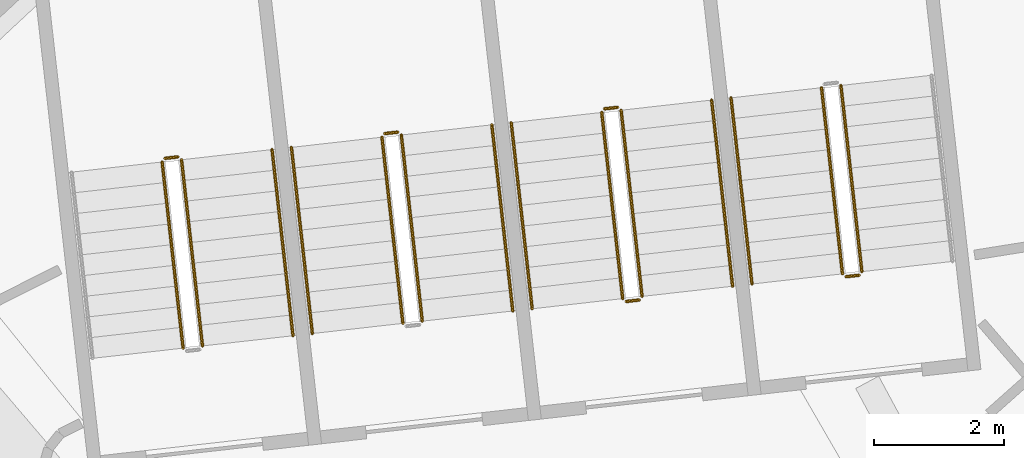
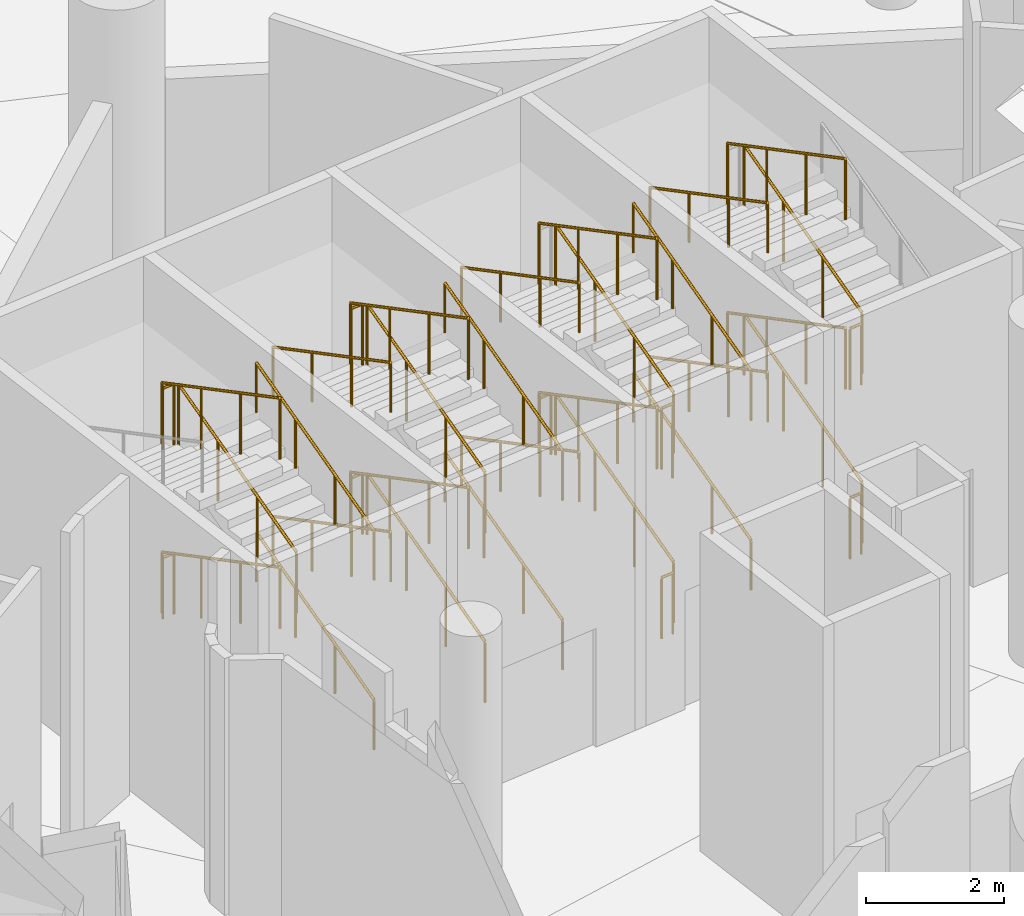
# One storey, part 236 of 249: 36 railings.
"""IFC4 building model written with IfcOpenShell, lengths in metres."""

from ifc_helpers import new_model, si_unit, direction, frame, origin, origin_2d, place, context, subcontext, project, spatial, circle, extrude, material, type_object, element, save


model = new_model("IFC4")

# Units and contexts
model_context = context("Model", 3, precision=1e-05, world=origin(), true_north=direction((0.0, 1.0)))
body_context = subcontext(model_context, "Body", "Model", "MODEL_VIEW")
ifc_project = project(units=[si_unit("LENGTHUNIT", "METRE"), si_unit("AREAUNIT", "SQUARE_METRE"), si_unit("VOLUMEUNIT", "CUBIC_METRE"), si_unit("PLANEANGLEUNIT", "RADIAN"), si_unit("MASSUNIT", "GRAM", prefix="KILO")], contexts=[model_context])

# Site, building, storey
site_placement = place(None, origin())
site = spatial("IfcSite", under=ifc_project, at=site_placement, CompositionType="ELEMENT")
building_placement = place(site_placement, origin())
building = spatial("IfcBuilding", under=site, at=building_placement, Name="Meseta Stadium", CompositionType="ELEMENT")
storey_placement = place(building_placement, frame((0.0, 0.0, 12.0)))
storey = spatial("IfcBuildingStorey", under=building, at=storey_placement, Name="L02", CompositionType="ELEMENT", Elevation=12.0)

# Railings
ifc_material_1 = material(Name="Steel S355", Category="steel")
railing_type_1 = type_object("IfcRailingType", Name="Stair guard 1100", PredefinedType="GUARDRAIL", material=ifc_material_1)
railing_1_placement = place(storey_placement, frame((-45.742919921875, 94.609375, 0.14990234375)))
element("IfcRailing", 1, at=railing_1_placement, inside=storey, type_object=railing_type_1, Name="ST45 L02 guard 1", PredefinedType="GUARDRAIL", context=body_context, shape_type="SweptSolid", body=[
    extrude(circle(Radius=0.02392578125, at=origin_2d()), frame((0.0, 0.0, 1.076171875), z_axis=(-0.10139626197, 0.899747905232, 0.424467319223), x_axis=(-0.993709872468, -0.111985219376, 0.0)), (0.0, 0.0, 1.0), 3.1806640625),
    extrude(circle(Radius=0.02099609375, at=origin_2d()), origin(), (0.0, 0.0, 1.0), 1.052001953125),
    extrude(circle(Radius=0.02099609375, at=origin_2d()), frame((-0.107421875, 0.953857421875, 0.449951171875)), (0.0, 0.0, 1.0), 1.052001953125),
    extrude(circle(Radius=0.02099609375, at=origin_2d()), frame((-0.215087890625, 1.907958984375, 0.900146484375)), (0.0, 0.0, 1.0), 1.052001953125),
    extrude(circle(Radius=0.02099609375, at=origin_2d()), frame((-0.322509765625, 2.86181640625, 1.35009765625)), (0.0, 0.0, 1.0), 1.052001953125),
])
railing_2_placement = place(storey_placement, frame((-46.363525390625, 97.4375, 1.64990234375)))
element("IfcRailing", 2, at=railing_2_placement, inside=storey, type_object=railing_type_1, Name="ST45 L02 guard 3", PredefinedType="GUARDRAIL", context=body_context, shape_type="SweptSolid", body=[
    extrude(circle(Radius=0.02392578125, at=origin_2d()), frame((0.0, 0.0, 1.076171875), z_axis=(0.101320293039, -0.899754905305, 0.424470621595), x_axis=(0.993719302648, 0.111901508232, 0.0)), (0.0, 0.0, 1.0), 3.1806640625),
    extrude(circle(Radius=0.02099609375, at=origin_2d()), origin(), (0.0, 0.0, 1.0), 1.052001953125),
    extrude(circle(Radius=0.02099609375, at=origin_2d()), frame((0.107421875, -0.953857421875, 0.449951171875)), (0.0, 0.0, 1.0), 1.052001953125),
    extrude(circle(Radius=0.02099609375, at=origin_2d()), frame((0.21484375, -1.907958984375, 0.900146484375)), (0.0, 0.0, 1.0), 1.052001953125),
    extrude(circle(Radius=0.02099609375, at=origin_2d()), frame((0.322265625, -2.86181640625, 1.35009765625)), (0.0, 0.0, 1.0), 1.052001953125),
])
railing_3_placement = place(storey_placement, frame((-45.787109375, 94.553955078125, 3.0)))
element("IfcRailing", 3, at=railing_3_placement, inside=storey, type_object=railing_type_1, Name="ST45 L02 guard 4", PredefinedType="GUARDRAIL", context=body_context, shape_type="SweptSolid", body=[
    extrude(circle(Radius=0.02392578125, at=origin_2d()), frame((0.0, 0.0, 1.076171875), z_axis=(-0.993673547442, -0.112307083986, 0.0), x_axis=(0.112307083986, -0.993673547442, 0.0)), (0.0, 0.0, 1.0), 0.199951171875),
    extrude(circle(Radius=0.02099609375, at=origin_2d()), origin(), (0.0, 0.0, 1.0), 1.052001953125),
    extrude(circle(Radius=0.02099609375, at=origin_2d()), frame((-0.19873046875, -0.0224609375, 0.0)), (0.0, 0.0, 1.0), 1.052001953125),
])
railing_4_placement = place(storey_placement, frame((-45.742919921875, 94.609375, 3.14990234375)))
element("IfcRailing", 4, at=railing_4_placement, inside=storey, type_object=railing_type_1, Name="ST45 L02 guard 5", PredefinedType="GUARDRAIL", context=body_context, shape_type="SweptSolid", body=[
    extrude(circle(Radius=0.02392578125, at=origin_2d()), frame((0.0, 0.0, 1.076171875), z_axis=(-0.10139626197, 0.899747905232, 0.424467319223), x_axis=(-0.993709872468, -0.111985219376, 0.0)), (0.0, 0.0, 1.0), 3.1806640625),
    extrude(circle(Radius=0.02099609375, at=origin_2d()), origin(), (0.0, 0.0, 1.0), 1.052001953125),
    extrude(circle(Radius=0.02099609375, at=origin_2d()), frame((-0.107421875, 0.953857421875, 0.449951171875)), (0.0, 0.0, 1.0), 1.052001953125),
    extrude(circle(Radius=0.02099609375, at=origin_2d()), frame((-0.215087890625, 1.907958984375, 0.900146484375)), (0.0, 0.0, 1.0), 1.052001953125),
    extrude(circle(Radius=0.02099609375, at=origin_2d()), frame((-0.322509765625, 2.86181640625, 1.35009765625)), (0.0, 0.0, 1.0), 1.052001953125),
])
railing_5_placement = place(storey_placement, frame((-46.363525390625, 97.4375, 4.64990234375)))
element("IfcRailing", 5, at=railing_5_placement, inside=storey, type_object=railing_type_1, Name="ST45 L02 guard 7", PredefinedType="GUARDRAIL", context=body_context, shape_type="SweptSolid", body=[
    extrude(circle(Radius=0.02392578125, at=origin_2d()), frame((0.0, 0.0, 1.076171875), z_axis=(0.101320293039, -0.899754905305, 0.424470621595), x_axis=(0.993719302648, 0.111901508232, 0.0)), (0.0, 0.0, 1.0), 3.1806640625),
    extrude(circle(Radius=0.02099609375, at=origin_2d()), origin(), (0.0, 0.0, 1.0), 1.052001953125),
    extrude(circle(Radius=0.02099609375, at=origin_2d()), frame((0.107421875, -0.953857421875, 0.449951171875)), (0.0, 0.0, 1.0), 1.052001953125),
    extrude(circle(Radius=0.02099609375, at=origin_2d()), frame((0.21484375, -1.907958984375, 0.900146484375)), (0.0, 0.0, 1.0), 1.052001953125),
    extrude(circle(Radius=0.02099609375, at=origin_2d()), frame((0.322265625, -2.86181640625, 1.35009765625)), (0.0, 0.0, 1.0), 1.052001953125),
])
railing_6_placement = place(storey_placement, frame((-45.787109375, 94.553955078125, 0.0)))
element("IfcRailing", 6, at=railing_6_placement, inside=storey, type_object=railing_type_1, Name="ST45 L02 guard 8", PredefinedType="GUARDRAIL", context=body_context, shape_type="SweptSolid", body=[
    extrude(circle(Radius=0.02392578125, at=origin_2d()), frame((0.0, 0.0, 1.076171875), z_axis=(-0.993673547442, -0.112307083986, 0.0), x_axis=(0.112307083986, -0.993673547442, 0.0)), (0.0, 0.0, 1.0), 0.199951171875),
    extrude(circle(Radius=0.02099609375, at=origin_2d()), origin(), (0.0, 0.0, 1.0), 1.052001953125),
    extrude(circle(Radius=0.02099609375, at=origin_2d()), frame((-0.19873046875, -0.0224609375, 0.0)), (0.0, 0.0, 1.0), 1.052001953125),
])
railing_7_placement = place(storey_placement, frame((-49.12158203125, 94.228515625, 0.14990234375)))
element("IfcRailing", 7, at=railing_7_placement, inside=storey, type_object=railing_type_1, Name="ST46 L02 guard 1", PredefinedType="GUARDRAIL", context=body_context, shape_type="SweptSolid", body=[
    extrude(circle(Radius=0.02392578125, at=origin_2d()), frame((0.0, 0.0, 1.076171875), z_axis=(-0.101389259755, 0.899762522411, 0.424438006392), x_axis=(-0.993710935447, -0.11197578655, 0.0)), (0.0, 0.0, 1.0), 3.180908203125),
    extrude(circle(Radius=0.02099609375, at=origin_2d()), origin(), (0.0, 0.0, 1.0), 1.052001953125),
    extrude(circle(Radius=0.02099609375, at=origin_2d()), frame((-0.107421875, 0.9541015625, 0.449951171875)), (0.0, 0.0, 1.0), 1.052001953125),
    extrude(circle(Radius=0.02099609375, at=origin_2d()), frame((-0.215087890625, 1.907958984375, 0.900146484375)), (0.0, 0.0, 1.0), 1.052001953125),
    extrude(circle(Radius=0.02099609375, at=origin_2d()), frame((-0.322509765625, 2.862060546875, 1.35009765625)), (0.0, 0.0, 1.0), 1.052001953125),
])
railing_8_placement = place(storey_placement, frame((-49.49951171875, 97.134521484375, 1.5)))
element("IfcRailing", 8, at=railing_8_placement, inside=storey, type_object=railing_type_1, Name="ST46 L02 guard 2", PredefinedType="GUARDRAIL", context=body_context, shape_type="SweptSolid", body=[
    extrude(circle(Radius=0.02392578125, at=origin_2d()), frame((0.0, 0.0, 1.076171875), z_axis=(-0.993673547442, -0.112307083986, 0.0), x_axis=(0.112307083986, -0.993673547442, 0.0)), (0.0, 0.0, 1.0), 0.199951171875),
    extrude(circle(Radius=0.02099609375, at=origin_2d()), origin(), (0.0, 0.0, 1.0), 1.052001953125),
    extrude(circle(Radius=0.02099609375, at=origin_2d()), frame((-0.19873046875, -0.0224609375, 0.0)), (0.0, 0.0, 1.0), 1.052001953125),
])
railing_9_placement = place(storey_placement, frame((-49.7421875, 97.056884765625, 1.64990234375)))
element("IfcRailing", 9, at=railing_9_placement, inside=storey, type_object=railing_type_1, Name="ST46 L02 guard 3", PredefinedType="GUARDRAIL", context=body_context, shape_type="SweptSolid", body=[
    extrude(circle(Radius=0.02392578125, at=origin_2d()), frame((0.0, 0.0, 1.076171875), z_axis=(0.10139626197, -0.899747905232, 0.424467319223), x_axis=(0.993709872468, 0.111985219376, 0.0)), (0.0, 0.0, 1.0), 3.1806640625),
    extrude(circle(Radius=0.02099609375, at=origin_2d()), origin(), (0.0, 0.0, 1.0), 1.052001953125),
    extrude(circle(Radius=0.02099609375, at=origin_2d()), frame((0.107421875, -0.953857421875, 0.449951171875)), (0.0, 0.0, 1.0), 1.052001953125),
    extrude(circle(Radius=0.02099609375, at=origin_2d()), frame((0.215087890625, -1.907958984375, 0.900146484375)), (0.0, 0.0, 1.0), 1.052001953125),
    extrude(circle(Radius=0.02099609375, at=origin_2d()), frame((0.322509765625, -2.86181640625, 1.35009765625)), (0.0, 0.0, 1.0), 1.052001953125),
])
railing_10_placement = place(storey_placement, frame((-49.165771484375, 94.17333984375, 3.0)))
element("IfcRailing", 10, at=railing_10_placement, inside=storey, type_object=railing_type_1, Name="ST46 L02 guard 4", PredefinedType="GUARDRAIL", context=body_context, shape_type="SweptSolid", body=[
    extrude(circle(Radius=0.02392578125, at=origin_2d()), frame((0.0, 0.0, 1.076171875), z_axis=(-0.993673547442, -0.112307083986, 0.0), x_axis=(0.112307083986, -0.993673547442, 0.0)), (0.0, 0.0, 1.0), 0.199951171875),
    extrude(circle(Radius=0.02099609375, at=origin_2d()), origin(), (0.0, 0.0, 1.0), 1.052001953125),
    extrude(circle(Radius=0.02099609375, at=origin_2d()), frame((-0.19873046875, -0.0224609375, 0.0)), (0.0, 0.0, 1.0), 1.052001953125),
])
railing_11_placement = place(storey_placement, frame((-49.12158203125, 94.228515625, 3.14990234375)))
element("IfcRailing", 11, at=railing_11_placement, inside=storey, type_object=railing_type_1, Name="ST46 L02 guard 5", PredefinedType="GUARDRAIL", context=body_context, shape_type="SweptSolid", body=[
    extrude(circle(Radius=0.02392578125, at=origin_2d()), frame((0.0, 0.0, 1.076171875), z_axis=(-0.101389259755, 0.899762522411, 0.424438006392), x_axis=(-0.993710935447, -0.11197578655, 0.0)), (0.0, 0.0, 1.0), 3.180908203125),
    extrude(circle(Radius=0.02099609375, at=origin_2d()), origin(), (0.0, 0.0, 1.0), 1.052001953125),
    extrude(circle(Radius=0.02099609375, at=origin_2d()), frame((-0.107421875, 0.9541015625, 0.449951171875)), (0.0, 0.0, 1.0), 1.052001953125),
    extrude(circle(Radius=0.02099609375, at=origin_2d()), frame((-0.215087890625, 1.907958984375, 0.900146484375)), (0.0, 0.0, 1.0), 1.052001953125),
    extrude(circle(Radius=0.02099609375, at=origin_2d()), frame((-0.322509765625, 2.862060546875, 1.35009765625)), (0.0, 0.0, 1.0), 1.052001953125),
])
railing_12_placement = place(storey_placement, frame((-49.7421875, 97.056884765625, 4.64990234375)))
element("IfcRailing", 12, at=railing_12_placement, inside=storey, type_object=railing_type_1, Name="ST46 L02 guard 7", PredefinedType="GUARDRAIL", context=body_context, shape_type="SweptSolid", body=[
    extrude(circle(Radius=0.02392578125, at=origin_2d()), frame((0.0, 0.0, 1.076171875), z_axis=(0.10139626197, -0.899747905232, 0.424467319223), x_axis=(0.993709872468, 0.111985219376, 0.0)), (0.0, 0.0, 1.0), 3.1806640625),
    extrude(circle(Radius=0.02099609375, at=origin_2d()), origin(), (0.0, 0.0, 1.0), 1.052001953125),
    extrude(circle(Radius=0.02099609375, at=origin_2d()), frame((0.107421875, -0.953857421875, 0.449951171875)), (0.0, 0.0, 1.0), 1.052001953125),
    extrude(circle(Radius=0.02099609375, at=origin_2d()), frame((0.215087890625, -1.907958984375, 0.900146484375)), (0.0, 0.0, 1.0), 1.052001953125),
    extrude(circle(Radius=0.02099609375, at=origin_2d()), frame((0.322509765625, -2.86181640625, 1.35009765625)), (0.0, 0.0, 1.0), 1.052001953125),
])
railing_13_placement = place(storey_placement, frame((-49.165771484375, 94.17333984375, 0.0)))
element("IfcRailing", 13, at=railing_13_placement, inside=storey, type_object=railing_type_1, Name="ST46 L02 guard 8", PredefinedType="GUARDRAIL", context=body_context, shape_type="SweptSolid", body=[
    extrude(circle(Radius=0.02392578125, at=origin_2d()), frame((0.0, 0.0, 1.076171875), z_axis=(-0.993673547442, -0.112307083986, 0.0), x_axis=(0.112307083986, -0.993673547442, 0.0)), (0.0, 0.0, 1.0), 0.199951171875),
    extrude(circle(Radius=0.02099609375, at=origin_2d()), origin(), (0.0, 0.0, 1.0), 1.052001953125),
    extrude(circle(Radius=0.02099609375, at=origin_2d()), frame((-0.19873046875, -0.0224609375, 0.0)), (0.0, 0.0, 1.0), 1.052001953125),
])
railing_14_placement = place(storey_placement, frame((-52.500244140625, 93.847900390625, 0.14990234375)))
element("IfcRailing", 14, at=railing_14_placement, inside=storey, type_object=railing_type_1, Name="ST47 L02 guard 1", PredefinedType="GUARDRAIL", context=body_context, shape_type="SweptSolid", body=[
    extrude(circle(Radius=0.02392578125, at=origin_2d()), frame((0.0, 0.0, 1.076171875), z_axis=(-0.10139626197, 0.899747905232, 0.424467319223), x_axis=(-0.993709872468, -0.111985219376, 0.0)), (0.0, 0.0, 1.0), 3.1806640625),
    extrude(circle(Radius=0.02099609375, at=origin_2d()), origin(), (0.0, 0.0, 1.0), 1.052001953125),
    extrude(circle(Radius=0.02099609375, at=origin_2d()), frame((-0.107421875, 0.953857421875, 0.449951171875)), (0.0, 0.0, 1.0), 1.052001953125),
    extrude(circle(Radius=0.02099609375, at=origin_2d()), frame((-0.215087890625, 1.907958984375, 0.900146484375)), (0.0, 0.0, 1.0), 1.052001953125),
    extrude(circle(Radius=0.02099609375, at=origin_2d()), frame((-0.322509765625, 2.86181640625, 1.35009765625)), (0.0, 0.0, 1.0), 1.052001953125),
])
railing_15_placement = place(storey_placement, frame((-52.8779296875, 96.75390625, 1.5)))
element("IfcRailing", 15, at=railing_15_placement, inside=storey, type_object=railing_type_1, Name="ST47 L02 guard 2", PredefinedType="GUARDRAIL", context=body_context, shape_type="SweptSolid", body=[
    extrude(circle(Radius=0.02392578125, at=origin_2d()), frame((0.0, 0.0, 1.076171875), z_axis=(-0.993673547442, -0.112307083986, 0.0), x_axis=(0.112307083986, -0.993673547442, 0.0)), (0.0, 0.0, 1.0), 0.199951171875),
    extrude(circle(Radius=0.02099609375, at=origin_2d()), origin(), (0.0, 0.0, 1.0), 1.052001953125),
    extrude(circle(Radius=0.02099609375, at=origin_2d()), frame((-0.19873046875, -0.0224609375, 0.0)), (0.0, 0.0, 1.0), 1.052001953125),
])
railing_16_placement = place(storey_placement, frame((-53.120849609375, 96.67626953125, 1.64990234375)))
element("IfcRailing", 16, at=railing_16_placement, inside=storey, type_object=railing_type_1, Name="ST47 L02 guard 3", PredefinedType="GUARDRAIL", context=body_context, shape_type="SweptSolid", body=[
    extrude(circle(Radius=0.02392578125, at=origin_2d()), frame((0.0, 0.0, 1.076171875), z_axis=(0.101389259755, -0.899762522411, 0.424438006392), x_axis=(0.993710935447, 0.11197578655, 0.0)), (0.0, 0.0, 1.0), 3.180908203125),
    extrude(circle(Radius=0.02099609375, at=origin_2d()), origin(), (0.0, 0.0, 1.0), 1.052001953125),
    extrude(circle(Radius=0.02099609375, at=origin_2d()), frame((0.107421875, -0.9541015625, 0.449951171875)), (0.0, 0.0, 1.0), 1.052001953125),
    extrude(circle(Radius=0.02099609375, at=origin_2d()), frame((0.215087890625, -1.907958984375, 0.900146484375)), (0.0, 0.0, 1.0), 1.052001953125),
    extrude(circle(Radius=0.02099609375, at=origin_2d()), frame((0.322509765625, -2.862060546875, 1.35009765625)), (0.0, 0.0, 1.0), 1.052001953125),
])
railing_17_placement = place(storey_placement, frame((-52.500244140625, 93.847900390625, 3.14990234375)))
element("IfcRailing", 17, at=railing_17_placement, inside=storey, type_object=railing_type_1, Name="ST47 L02 guard 5", PredefinedType="GUARDRAIL", context=body_context, shape_type="SweptSolid", body=[
    extrude(circle(Radius=0.02392578125, at=origin_2d()), frame((0.0, 0.0, 1.076171875), z_axis=(-0.10139626197, 0.899747905232, 0.424467319223), x_axis=(-0.993709872468, -0.111985219376, 0.0)), (0.0, 0.0, 1.0), 3.1806640625),
    extrude(circle(Radius=0.02099609375, at=origin_2d()), origin(), (0.0, 0.0, 1.0), 1.052001953125),
    extrude(circle(Radius=0.02099609375, at=origin_2d()), frame((-0.107421875, 0.953857421875, 0.449951171875)), (0.0, 0.0, 1.0), 1.052001953125),
    extrude(circle(Radius=0.02099609375, at=origin_2d()), frame((-0.215087890625, 1.907958984375, 0.900146484375)), (0.0, 0.0, 1.0), 1.052001953125),
    extrude(circle(Radius=0.02099609375, at=origin_2d()), frame((-0.322509765625, 2.86181640625, 1.35009765625)), (0.0, 0.0, 1.0), 1.052001953125),
])
railing_18_placement = place(storey_placement, frame((-52.8779296875, 96.75390625, 4.5)))
element("IfcRailing", 18, at=railing_18_placement, inside=storey, type_object=railing_type_1, Name="ST47 L02 guard 6", PredefinedType="GUARDRAIL", context=body_context, shape_type="SweptSolid", body=[
    extrude(circle(Radius=0.02392578125, at=origin_2d()), frame((0.0, 0.0, 1.076171875), z_axis=(-0.993673547442, -0.112307083986, 0.0), x_axis=(0.112307083986, -0.993673547442, 0.0)), (0.0, 0.0, 1.0), 0.199951171875),
    extrude(circle(Radius=0.02099609375, at=origin_2d()), origin(), (0.0, 0.0, 1.0), 1.052001953125),
    extrude(circle(Radius=0.02099609375, at=origin_2d()), frame((-0.19873046875, -0.0224609375, 0.0)), (0.0, 0.0, 1.0), 1.052001953125),
])
railing_19_placement = place(storey_placement, frame((-53.120849609375, 96.67626953125, 4.64990234375)))
element("IfcRailing", 19, at=railing_19_placement, inside=storey, type_object=railing_type_1, Name="ST47 L02 guard 7", PredefinedType="GUARDRAIL", context=body_context, shape_type="SweptSolid", body=[
    extrude(circle(Radius=0.02392578125, at=origin_2d()), frame((0.0, 0.0, 1.076171875), z_axis=(0.101389259755, -0.899762522411, 0.424438006392), x_axis=(0.993710935447, 0.11197578655, 0.0)), (0.0, 0.0, 1.0), 3.180908203125),
    extrude(circle(Radius=0.02099609375, at=origin_2d()), origin(), (0.0, 0.0, 1.0), 1.052001953125),
    extrude(circle(Radius=0.02099609375, at=origin_2d()), frame((0.107421875, -0.9541015625, 0.449951171875)), (0.0, 0.0, 1.0), 1.052001953125),
    extrude(circle(Radius=0.02099609375, at=origin_2d()), frame((0.215087890625, -1.907958984375, 0.900146484375)), (0.0, 0.0, 1.0), 1.052001953125),
    extrude(circle(Radius=0.02099609375, at=origin_2d()), frame((0.322509765625, -2.862060546875, 1.35009765625)), (0.0, 0.0, 1.0), 1.052001953125),
])
railing_20_placement = place(storey_placement, frame((-56.256591796875, 96.373291015625, 1.5)))
element("IfcRailing", 20, at=railing_20_placement, inside=storey, type_object=railing_type_1, Name="ST48 L02 guard 2", PredefinedType="GUARDRAIL", context=body_context, shape_type="SweptSolid", body=[
    extrude(circle(Radius=0.02392578125, at=origin_2d()), frame((0.0, 0.0, 1.076171875), z_axis=(-0.993673547442, -0.112307083986, 0.0), x_axis=(0.112307083986, -0.993673547442, 0.0)), (0.0, 0.0, 1.0), 0.199951171875),
    extrude(circle(Radius=0.02099609375, at=origin_2d()), origin(), (0.0, 0.0, 1.0), 1.052001953125),
    extrude(circle(Radius=0.02099609375, at=origin_2d()), frame((-0.19873046875, -0.0224609375, 0.0)), (0.0, 0.0, 1.0), 1.052001953125),
])
railing_21_placement = place(storey_placement, frame((-56.49951171875, 96.29541015625, 1.64990234375)))
element("IfcRailing", 21, at=railing_21_placement, inside=storey, type_object=railing_type_1, Name="ST48 L02 guard 3", PredefinedType="GUARDRAIL", context=body_context, shape_type="SweptSolid", body=[
    extrude(circle(Radius=0.02392578125, at=origin_2d()), frame((0.0, 0.0, 1.076171875), z_axis=(0.10139626197, -0.899747905232, 0.424467319223), x_axis=(0.993709872468, 0.111985219376, 0.0)), (0.0, 0.0, 1.0), 3.1806640625),
    extrude(circle(Radius=0.02099609375, at=origin_2d()), origin(), (0.0, 0.0, 1.0), 1.052001953125),
    extrude(circle(Radius=0.02099609375, at=origin_2d()), frame((0.107421875, -0.953857421875, 0.449951171875)), (0.0, 0.0, 1.0), 1.052001953125),
    extrude(circle(Radius=0.02099609375, at=origin_2d()), frame((0.215087890625, -1.907958984375, 0.900146484375)), (0.0, 0.0, 1.0), 1.052001953125),
    extrude(circle(Radius=0.02099609375, at=origin_2d()), frame((0.322509765625, -2.86181640625, 1.35009765625)), (0.0, 0.0, 1.0), 1.052001953125),
])
railing_22_placement = place(storey_placement, frame((-55.87890625, 93.46728515625, 3.14990234375)))
element("IfcRailing", 22, at=railing_22_placement, inside=storey, type_object=railing_type_1, Name="ST48 L02 guard 5", PredefinedType="GUARDRAIL", context=body_context, shape_type="SweptSolid", body=[
    extrude(circle(Radius=0.02392578125, at=origin_2d()), frame((0.0, 0.0, 1.076171875), z_axis=(-0.10139626197, 0.899747905232, 0.424467319223), x_axis=(-0.993709872468, -0.111985219376, 0.0)), (0.0, 0.0, 1.0), 3.1806640625),
    extrude(circle(Radius=0.02099609375, at=origin_2d()), origin(), (0.0, 0.0, 1.0), 1.052001953125),
    extrude(circle(Radius=0.02099609375, at=origin_2d()), frame((-0.107421875, 0.953857421875, 0.449951171875)), (0.0, 0.0, 1.0), 1.052001953125),
    extrude(circle(Radius=0.02099609375, at=origin_2d()), frame((-0.215087890625, 1.907958984375, 0.900146484375)), (0.0, 0.0, 1.0), 1.052001953125),
    extrude(circle(Radius=0.02099609375, at=origin_2d()), frame((-0.322509765625, 2.86181640625, 1.35009765625)), (0.0, 0.0, 1.0), 1.052001953125),
])
railing_23_placement = place(storey_placement, frame((-56.256591796875, 96.373291015625, 4.5)))
element("IfcRailing", 23, at=railing_23_placement, inside=storey, type_object=railing_type_1, Name="ST48 L02 guard 6", PredefinedType="GUARDRAIL", context=body_context, shape_type="SweptSolid", body=[
    extrude(circle(Radius=0.02392578125, at=origin_2d()), frame((0.0, 0.0, 1.076171875), z_axis=(-0.993673547442, -0.112307083986, 0.0), x_axis=(0.112307083986, -0.993673547442, 0.0)), (0.0, 0.0, 1.0), 0.199951171875),
    extrude(circle(Radius=0.02099609375, at=origin_2d()), origin(), (0.0, 0.0, 1.0), 1.052001953125),
    extrude(circle(Radius=0.02099609375, at=origin_2d()), frame((-0.19873046875, -0.0224609375, 0.0)), (0.0, 0.0, 1.0), 1.052001953125),
])
railing_24_placement = place(storey_placement, frame((-56.49951171875, 96.29541015625, 4.64990234375)))
element("IfcRailing", 24, at=railing_24_placement, inside=storey, type_object=railing_type_1, Name="ST48 L02 guard 7", PredefinedType="GUARDRAIL", context=body_context, shape_type="SweptSolid", body=[
    extrude(circle(Radius=0.02392578125, at=origin_2d()), frame((0.0, 0.0, 1.076171875), z_axis=(0.10139626197, -0.899747905232, 0.424467319223), x_axis=(0.993709872468, 0.111985219376, 0.0)), (0.0, 0.0, 1.0), 3.1806640625),
    extrude(circle(Radius=0.02099609375, at=origin_2d()), origin(), (0.0, 0.0, 1.0), 1.052001953125),
    extrude(circle(Radius=0.02099609375, at=origin_2d()), frame((0.107421875, -0.953857421875, 0.449951171875)), (0.0, 0.0, 1.0), 1.052001953125),
    extrude(circle(Radius=0.02099609375, at=origin_2d()), frame((0.215087890625, -1.907958984375, 0.900146484375)), (0.0, 0.0, 1.0), 1.052001953125),
    extrude(circle(Radius=0.02099609375, at=origin_2d()), frame((0.322509765625, -2.86181640625, 1.35009765625)), (0.0, 0.0, 1.0), 1.052001953125),
])
ifc_material_2 = material(Name="Steel S355", Category="steel")
railing_type_2 = type_object("IfcRailingType", Name="Stair handrail 900", PredefinedType="HANDRAIL", material=ifc_material_2)
for number, where, name in (
    (25, (-47.7548828125, 97.28076171875, 1.64990234375), "ST45 L02 handrail 2"),
    (26, (-47.7548828125, 97.28076171875, 4.64990234375), "ST45 L02 handrail 4"),
):
    element("IfcRailing", number, at=place(storey_placement, frame(where)), inside=storey, type_object=railing_type_2, Name=name, PredefinedType="HANDRAIL", context=body_context, shape_type="SweptSolid", body=[
        extrude(circle(Radius=0.02392578125, at=origin_2d()), frame((0.0, 0.0, 0.8759765625), z_axis=(0.10139626197, -0.899747905232, 0.424467319223), x_axis=(0.993709872468, 0.111985219376, 0.0)), (0.0, 0.0, 1.0), 3.1806640625),
        extrude(circle(Radius=0.02099609375, at=origin_2d()), origin(), (0.0, 0.0, 1.0), 0.851806640625),
        extrude(circle(Radius=0.02099609375, at=origin_2d()), frame((0.107421875, -0.953857421875, 0.449951171875)), (0.0, 0.0, 1.0), 0.851806640625),
        extrude(circle(Radius=0.02099609375, at=origin_2d()), frame((0.215087890625, -1.907958984375, 0.900146484375)), (0.0, 0.0, 1.0), 0.851806640625),
        extrude(circle(Radius=0.02099609375, at=origin_2d()), frame((0.322509765625, -2.86181640625, 1.35009765625)), (0.0, 0.0, 1.0), 0.851806640625),
    ])
railing_25_placement = place(storey_placement, frame((-47.73046875, 94.38525390625, 0.14990234375)))
element("IfcRailing", 27, at=railing_25_placement, inside=storey, type_object=railing_type_2, Name="ST46 L02 handrail 1", PredefinedType="HANDRAIL", context=body_context, shape_type="SweptSolid", body=[
    extrude(circle(Radius=0.02392578125, at=origin_2d()), frame((0.0, 0.0, 0.8759765625), z_axis=(-0.101389259755, 0.899762522411, 0.424438006392), x_axis=(-0.993710935447, -0.11197578655, 0.0)), (0.0, 0.0, 1.0), 3.180908203125),
    extrude(circle(Radius=0.02099609375, at=origin_2d()), origin(), (0.0, 0.0, 1.0), 0.851806640625),
    extrude(circle(Radius=0.02099609375, at=origin_2d()), frame((-0.107421875, 0.9541015625, 0.449951171875)), (0.0, 0.0, 1.0), 0.851806640625),
    extrude(circle(Radius=0.02099609375, at=origin_2d()), frame((-0.215087890625, 1.907958984375, 0.900146484375)), (0.0, 0.0, 1.0), 0.851806640625),
    extrude(circle(Radius=0.02099609375, at=origin_2d()), frame((-0.322509765625, 2.862060546875, 1.35009765625)), (0.0, 0.0, 1.0), 0.851806640625),
])
railing_26_placement = place(storey_placement, frame((-51.133544921875, 96.900146484375, 1.64990234375)))
element("IfcRailing", 28, at=railing_26_placement, inside=storey, type_object=railing_type_2, Name="ST46 L02 handrail 2", PredefinedType="HANDRAIL", context=body_context, shape_type="SweptSolid", body=[
    extrude(circle(Radius=0.02392578125, at=origin_2d()), frame((0.0, 0.0, 0.8759765625), z_axis=(0.10139626197, -0.899747905232, 0.424467319223), x_axis=(0.993709872468, 0.111985219376, 0.0)), (0.0, 0.0, 1.0), 3.1806640625),
    extrude(circle(Radius=0.02099609375, at=origin_2d()), origin(), (0.0, 0.0, 1.0), 0.851806640625),
    extrude(circle(Radius=0.02099609375, at=origin_2d()), frame((0.107421875, -0.953857421875, 0.449951171875)), (0.0, 0.0, 1.0), 0.851806640625),
    extrude(circle(Radius=0.02099609375, at=origin_2d()), frame((0.215087890625, -1.907958984375, 0.900146484375)), (0.0, 0.0, 1.0), 0.851806640625),
    extrude(circle(Radius=0.02099609375, at=origin_2d()), frame((0.322509765625, -2.86181640625, 1.35009765625)), (0.0, 0.0, 1.0), 0.851806640625),
])
railing_27_placement = place(storey_placement, frame((-47.73046875, 94.38525390625, 3.14990234375)))
element("IfcRailing", 29, at=railing_27_placement, inside=storey, type_object=railing_type_2, Name="ST46 L02 handrail 3", PredefinedType="HANDRAIL", context=body_context, shape_type="SweptSolid", body=[
    extrude(circle(Radius=0.02392578125, at=origin_2d()), frame((0.0, 0.0, 0.8759765625), z_axis=(-0.101389259755, 0.899762522411, 0.424438006392), x_axis=(-0.993710935447, -0.11197578655, 0.0)), (0.0, 0.0, 1.0), 3.180908203125),
    extrude(circle(Radius=0.02099609375, at=origin_2d()), origin(), (0.0, 0.0, 1.0), 0.851806640625),
    extrude(circle(Radius=0.02099609375, at=origin_2d()), frame((-0.107421875, 0.9541015625, 0.449951171875)), (0.0, 0.0, 1.0), 0.851806640625),
    extrude(circle(Radius=0.02099609375, at=origin_2d()), frame((-0.215087890625, 1.907958984375, 0.900146484375)), (0.0, 0.0, 1.0), 0.851806640625),
    extrude(circle(Radius=0.02099609375, at=origin_2d()), frame((-0.322509765625, 2.862060546875, 1.35009765625)), (0.0, 0.0, 1.0), 0.851806640625),
])
railing_28_placement = place(storey_placement, frame((-51.133544921875, 96.900146484375, 4.64990234375)))
element("IfcRailing", 30, at=railing_28_placement, inside=storey, type_object=railing_type_2, Name="ST46 L02 handrail 4", PredefinedType="HANDRAIL", context=body_context, shape_type="SweptSolid", body=[
    extrude(circle(Radius=0.02392578125, at=origin_2d()), frame((0.0, 0.0, 0.8759765625), z_axis=(0.10139626197, -0.899747905232, 0.424467319223), x_axis=(0.993709872468, 0.111985219376, 0.0)), (0.0, 0.0, 1.0), 3.1806640625),
    extrude(circle(Radius=0.02099609375, at=origin_2d()), origin(), (0.0, 0.0, 1.0), 0.851806640625),
    extrude(circle(Radius=0.02099609375, at=origin_2d()), frame((0.107421875, -0.953857421875, 0.449951171875)), (0.0, 0.0, 1.0), 0.851806640625),
    extrude(circle(Radius=0.02099609375, at=origin_2d()), frame((0.215087890625, -1.907958984375, 0.900146484375)), (0.0, 0.0, 1.0), 0.851806640625),
    extrude(circle(Radius=0.02099609375, at=origin_2d()), frame((0.322509765625, -2.86181640625, 1.35009765625)), (0.0, 0.0, 1.0), 0.851806640625),
])
railing_29_placement = place(storey_placement, frame((-51.109130859375, 94.004638671875, 0.14990234375)))
element("IfcRailing", 31, at=railing_29_placement, inside=storey, type_object=railing_type_2, Name="ST47 L02 handrail 1", PredefinedType="HANDRAIL", context=body_context, shape_type="SweptSolid", body=[
    extrude(circle(Radius=0.02392578125, at=origin_2d()), frame((0.0, 0.0, 0.8759765625), z_axis=(-0.10139626197, 0.899747905232, 0.424467319223), x_axis=(-0.993709872468, -0.111985219376, 0.0)), (0.0, 0.0, 1.0), 3.1806640625),
    extrude(circle(Radius=0.02099609375, at=origin_2d()), origin(), (0.0, 0.0, 1.0), 0.851806640625),
    extrude(circle(Radius=0.02099609375, at=origin_2d()), frame((-0.107421875, 0.953857421875, 0.449951171875)), (0.0, 0.0, 1.0), 0.851806640625),
    extrude(circle(Radius=0.02099609375, at=origin_2d()), frame((-0.215087890625, 1.907958984375, 0.900146484375)), (0.0, 0.0, 1.0), 0.851806640625),
    extrude(circle(Radius=0.02099609375, at=origin_2d()), frame((-0.322509765625, 2.86181640625, 1.35009765625)), (0.0, 0.0, 1.0), 0.851806640625),
])
railing_30_placement = place(storey_placement, frame((-54.511962890625, 96.51953125, 1.64990234375)))
element("IfcRailing", 32, at=railing_30_placement, inside=storey, type_object=railing_type_2, Name="ST47 L02 handrail 2", PredefinedType="HANDRAIL", context=body_context, shape_type="SweptSolid", body=[
    extrude(circle(Radius=0.02392578125, at=origin_2d()), frame((0.0, 0.0, 0.8759765625), z_axis=(0.101313295961, -0.899769521631, 0.42444130808), x_axis=(0.993720364048, 0.111892082278, 0.0)), (0.0, 0.0, 1.0), 3.180908203125),
    extrude(circle(Radius=0.02099609375, at=origin_2d()), origin(), (0.0, 0.0, 1.0), 0.851806640625),
    extrude(circle(Radius=0.02099609375, at=origin_2d()), frame((0.107421875, -0.9541015625, 0.449951171875)), (0.0, 0.0, 1.0), 0.851806640625),
    extrude(circle(Radius=0.02099609375, at=origin_2d()), frame((0.21484375, -1.907958984375, 0.900146484375)), (0.0, 0.0, 1.0), 0.851806640625),
    extrude(circle(Radius=0.02099609375, at=origin_2d()), frame((0.322265625, -2.862060546875, 1.35009765625)), (0.0, 0.0, 1.0), 0.851806640625),
])
railing_31_placement = place(storey_placement, frame((-51.109130859375, 94.004638671875, 3.14990234375)))
element("IfcRailing", 33, at=railing_31_placement, inside=storey, type_object=railing_type_2, Name="ST47 L02 handrail 3", PredefinedType="HANDRAIL", context=body_context, shape_type="SweptSolid", body=[
    extrude(circle(Radius=0.02392578125, at=origin_2d()), frame((0.0, 0.0, 0.8759765625), z_axis=(-0.10139626197, 0.899747905232, 0.424467319223), x_axis=(-0.993709872468, -0.111985219376, 0.0)), (0.0, 0.0, 1.0), 3.1806640625),
    extrude(circle(Radius=0.02099609375, at=origin_2d()), origin(), (0.0, 0.0, 1.0), 0.851806640625),
    extrude(circle(Radius=0.02099609375, at=origin_2d()), frame((-0.107421875, 0.953857421875, 0.449951171875)), (0.0, 0.0, 1.0), 0.851806640625),
    extrude(circle(Radius=0.02099609375, at=origin_2d()), frame((-0.215087890625, 1.907958984375, 0.900146484375)), (0.0, 0.0, 1.0), 0.851806640625),
    extrude(circle(Radius=0.02099609375, at=origin_2d()), frame((-0.322509765625, 2.86181640625, 1.35009765625)), (0.0, 0.0, 1.0), 0.851806640625),
])
railing_32_placement = place(storey_placement, frame((-54.511962890625, 96.51953125, 4.64990234375)))
element("IfcRailing", 34, at=railing_32_placement, inside=storey, type_object=railing_type_2, Name="ST47 L02 handrail 4", PredefinedType="HANDRAIL", context=body_context, shape_type="SweptSolid", body=[
    extrude(circle(Radius=0.02392578125, at=origin_2d()), frame((0.0, 0.0, 0.8759765625), z_axis=(0.101313295961, -0.899769521631, 0.42444130808), x_axis=(0.993720364048, 0.111892082278, 0.0)), (0.0, 0.0, 1.0), 3.180908203125),
    extrude(circle(Radius=0.02099609375, at=origin_2d()), origin(), (0.0, 0.0, 1.0), 0.851806640625),
    extrude(circle(Radius=0.02099609375, at=origin_2d()), frame((0.107421875, -0.9541015625, 0.449951171875)), (0.0, 0.0, 1.0), 0.851806640625),
    extrude(circle(Radius=0.02099609375, at=origin_2d()), frame((0.21484375, -1.907958984375, 0.900146484375)), (0.0, 0.0, 1.0), 0.851806640625),
    extrude(circle(Radius=0.02099609375, at=origin_2d()), frame((0.322265625, -2.862060546875, 1.35009765625)), (0.0, 0.0, 1.0), 0.851806640625),
])
for number, where, name in (
    (35, (-54.48779296875, 93.6240234375, 0.14990234375), "ST48 L02 handrail 1"),
    (36, (-54.48779296875, 93.6240234375, 3.14990234375), "ST48 L02 handrail 3"),
):
    element("IfcRailing", number, at=place(storey_placement, frame(where)), inside=storey, type_object=railing_type_2, Name=name, PredefinedType="HANDRAIL", context=body_context, shape_type="SweptSolid", body=[
        extrude(circle(Radius=0.02392578125, at=origin_2d()), frame((0.0, 0.0, 0.8759765625), z_axis=(-0.101320293039, 0.899754905305, 0.424470621595), x_axis=(-0.993719302648, -0.111901508232, 0.0)), (0.0, 0.0, 1.0), 3.1806640625),
        extrude(circle(Radius=0.02099609375, at=origin_2d()), origin(), (0.0, 0.0, 1.0), 0.851806640625),
        extrude(circle(Radius=0.02099609375, at=origin_2d()), frame((-0.107421875, 0.953857421875, 0.449951171875)), (0.0, 0.0, 1.0), 0.851806640625),
        extrude(circle(Radius=0.02099609375, at=origin_2d()), frame((-0.21484375, 1.907958984375, 0.900146484375)), (0.0, 0.0, 1.0), 0.851806640625),
        extrude(circle(Radius=0.02099609375, at=origin_2d()), frame((-0.322265625, 2.86181640625, 1.35009765625)), (0.0, 0.0, 1.0), 0.851806640625),
    ])

save(model, "model.ifc")
